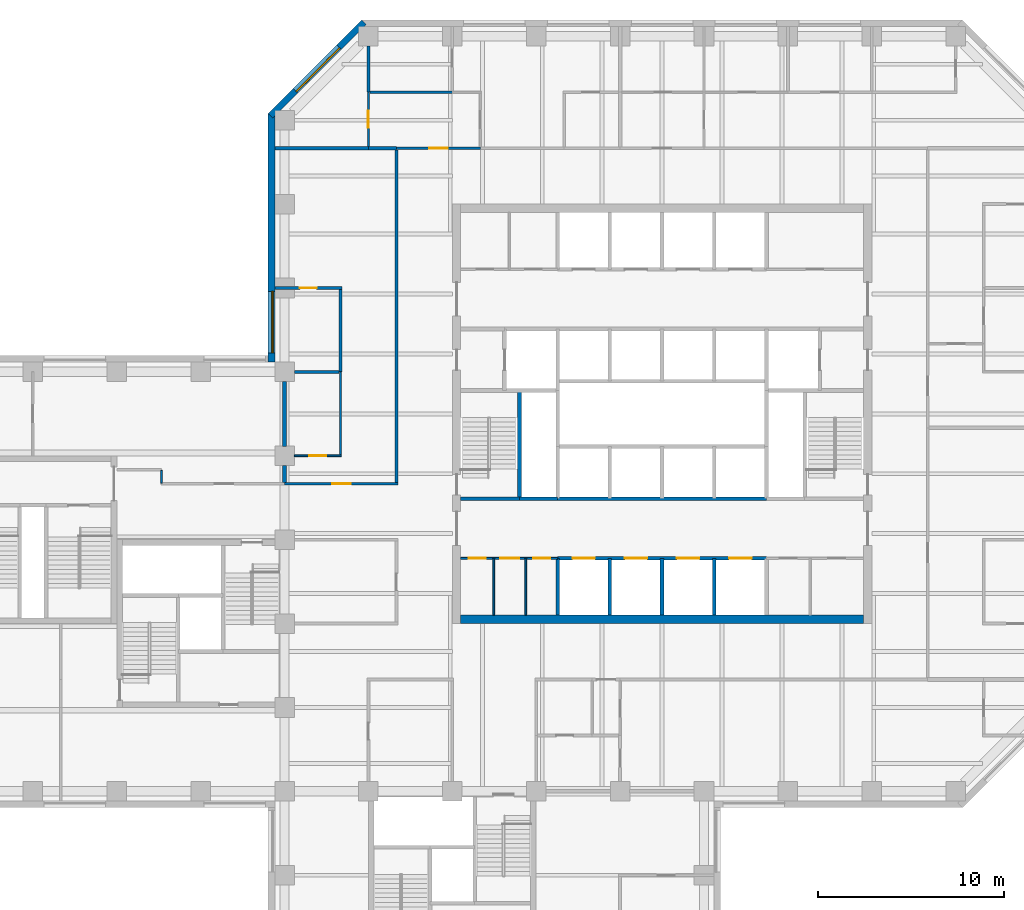
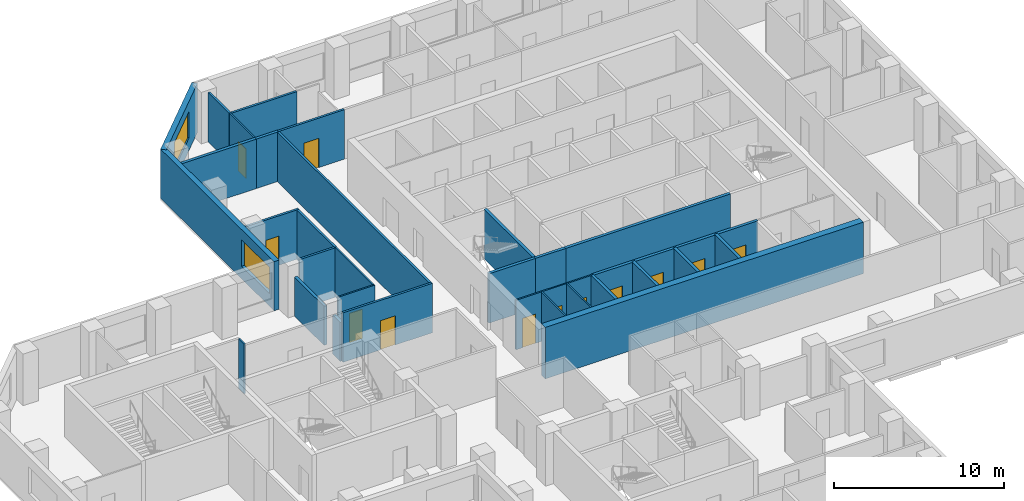
# One storey, part 6 of 11: 31 walls, 12 doors, 2 windows, 14 openings.
"""IFC4 building model written with IfcOpenShell, lengths in metres."""

from ifc_helpers import new_model, si_unit, direction, frame, frame_2d, origin, place, context, subcontext, project, spatial, rectangle, extrude, material, layer, layer_set, constituent, constituent_set, type_object, element, fill, save


model = new_model("IFC4")

# Units and contexts
model_context = context("Model", 3, precision=1e-05, world=origin(), true_north=direction((0.0, 1.0)))
body_context = subcontext(model_context, "Body", "Model", "MODEL_VIEW")
ifc_project = project(units=[si_unit("LENGTHUNIT", "METRE"), si_unit("AREAUNIT", "SQUARE_METRE"), si_unit("VOLUMEUNIT", "CUBIC_METRE"), si_unit("PLANEANGLEUNIT", "RADIAN"), si_unit("MASSUNIT", "GRAM", prefix="KILO")], contexts=[model_context])

# Site, building, storey
site_placement = place(None, origin())
site = spatial("IfcSite", under=ifc_project, at=site_placement, CompositionType="ELEMENT")
building_placement = place(site_placement, origin())
building = spatial("IfcBuilding", under=site, at=building_placement, Name="Quoin Convention Tower", CompositionType="ELEMENT")
storey_placement = place(building_placement, frame((0.0, 0.0, 119.60009765625)))
storey = spatial("IfcBuildingStorey", under=building, at=storey_placement, Name="L31", CompositionType="ELEMENT", Elevation=119.60009765625)

# Wall
ifc_material_1 = material(Name="Plasterboard")
ifc_layer_1 = layer(ifc_material_1, 0.012451171875, Name="Finish")
ifc_material_2 = material(Name="Steel stud framing", Category="steel")
ifc_layer_2 = layer(ifc_material_2, 0.125, Name="Structure")
ifc_layer_3 = layer(ifc_material_1, 0.012451171875, Name="Finish")
ifc_layer_set_1 = layer_set([ifc_layer_1, ifc_layer_2, ifc_layer_3], Name="Steel stud framing")
wall_type_1 = type_object("IfcWallType", Name="Acoustic partition 150", PredefinedType="PARTITIONING", material=ifc_layer_set_1)
wall_1_placement = place(storey_placement, frame((36.52490234375, 63.0, 0.0), z_axis=(0.0, 0.0, 1.0), x_axis=(1.0, 0.0, 0.0)))
element("IfcWall", 1, at=wall_1_placement, inside=storey, type_object=wall_type_1, Name="pw-L31-038", PredefinedType="PARTITIONING", context=body_context, shape_type="SweptSolid", body=[
    extrude(rectangle(XDim=2.400146484375, YDim=0.14990234375, at=frame_2d((1.2001953125, 0.0))), origin(), (0.0, 0.0, 1.0), 3.5498046875),
])

# Wall, opening, door
wall_2_placement = place(storey_placement, frame((35.47509765625, 67.5, 0.0), z_axis=(0.0, 0.0, 1.0), x_axis=(1.0, 0.0, 0.0)))
wall_2 = element("IfcWall", 2, at=wall_2_placement, inside=storey, type_object=wall_type_1, Name="pw-L31-041", PredefinedType="PARTITIONING", context=body_context, shape_type="SweptSolid", body=[
    extrude(rectangle(XDim=3.599853515625, YDim=0.14990234375, at=frame_2d((1.7998046875, 0.0))), origin(), (0.0, 0.0, 1.0), 3.5498046875),
])
opening_1_placement = place(wall_2_placement, frame((1.35009765625, 0.0, 0.0)))
opening_1 = element("IfcOpeningElement", 3, at=opening_1_placement, cuts=wall_2, Name="Opening DOL6-15", PredefinedType="OPENING", context=body_context, shape_type="SweptSolid", body=[
    extrude(rectangle(XDim=0.89990234375, YDim=2.10009765625, at=frame_2d((0.449951171875, 1.050048828125))), frame((0.0, 0.0849609375, 0.0), z_axis=(0.0, -1.0, 0.0), x_axis=(1.0, 0.0, 0.0)), (0.0, 0.0, 1.0), 0.169921875),
])
ifc_material_3 = material(Name="Steel door leaf", Category="steel")
door_type_1 = type_object("IfcDoorType", Name="Office door 900 x 2100", OperationType="SINGLE_SWING_RIGHT", PredefinedType="DOOR", material=ifc_material_3)
door_1_placement = place(opening_1_placement, origin())
door_1 = element("IfcDoor", 4, at=door_1_placement, inside=storey, type_object=door_type_1, Name="dr-L31-42", OperationType="SINGLE_SWING_RIGHT", OverallHeight=2.10009765625, OverallWidth=0.89990234375, PredefinedType="DOOR", context=body_context, shape_type="SweptSolid", body=[
    extrude(rectangle(XDim=0.89990234375, YDim=2.10009765625, at=frame_2d((0.449951171875, 1.050048828125))), frame((0.0, 0.02490234375, 0.0), z_axis=(0.0, -1.0, 0.0), x_axis=(1.0, 0.0, 0.0)), (0.0, 0.0, 1.0), 0.050048828125),
])
fill(opening_1, door_1)

# Walls
for number, where, z_axis, x_axis, name in (
    (5, (40.574951171875, 78.0, 0.0), (0.0, 0.0, 1.0), (1.0, 0.0, 0.0), "pw-L31-052"),
    (6, (39.0, 63.0, 0.0), (0.0, 0.0, 1.0), (0.0, 1.0, 0.0), "pw-L31-093"),
):
    element("IfcWall", number, at=place(storey_placement, frame(where, z_axis=z_axis, x_axis=x_axis)), inside=storey, type_object=wall_type_1, Name=name, PredefinedType="PARTITIONING", context=body_context, shape_type="SweptSolid", body=[
        extrude(rectangle(XDim=4.425048828125, YDim=0.14990234375, at=frame_2d((2.21240234375, 0.0))), origin(), (0.0, 0.0, 1.0), 3.5498046875),
    ])
wall_3_placement = place(storey_placement, frame((40.5, 78.0, 0.0), z_axis=(0.0, 0.0, 1.0), x_axis=(0.0, 1.0, 0.0)))
element("IfcWall", 7, at=wall_3_placement, inside=storey, type_object=wall_type_1, Name="pw-L31-103", PredefinedType="PARTITIONING", context=body_context, shape_type="SweptSolid", body=[
    extrude(rectangle(XDim=2.47509765625, YDim=0.14990234375, at=frame_2d((1.237548828125, 0.0))), origin(), (0.0, 0.0, 1.0), 3.5498046875),
])

# Wall, opening, window
ifc_material_4 = material(Name="Brick masonry", Category="masonry")
ifc_layer_4 = layer(ifc_material_4, 0.35009765625)
ifc_layer_set_2 = layer_set([ifc_layer_4], Name="Brick masonry")
wall_type_2 = type_object("IfcWallType", Name="Brick facade wall", PredefinedType="STANDARD", material=ifc_layer_set_2)
wall_4_placement = place(storey_placement, frame((40.26123046875, 81.751220703125, 0.0), z_axis=(0.0, 0.0, 1.0), x_axis=(-0.707106781187, -0.707106781187, 0.0)))
wall_4 = element("IfcWall", 8, at=wall_4_placement, inside=storey, type_object=wall_type_2, Name="fw-L31-40500_81000", PredefinedType="STANDARD", context=body_context, shape_type="SweptSolid", body=[
    extrude(rectangle(XDim=7.088623046875, YDim=0.35009765625, at=frame_2d((3.54443359375, 0.0))), origin(), (0.0, 0.0, 1.0), 3.52490234375),
])
opening_2_placement = place(wall_4_placement, frame((1.894287109375, 0.0, 0.89990234375)))
opening_2 = element("IfcOpeningElement", 9, at=opening_2_placement, cuts=wall_4, Name="Opening W-02", PredefinedType="OPENING", context=body_context, shape_type="SweptSolid", body=[
    extrude(rectangle(XDim=3.300048828125, YDim=1.89990234375, at=frame_2d((1.64990234375, 0.949951171875))), frame((0.0, 0.18505859375, 0.0), z_axis=(0.0, -1.0, 0.0), x_axis=(1.0, 0.0, 0.0)), (0.0, 0.0, 1.0), 0.3701171875),
])
ifc_material_5 = material(Name="Aluminium", Category="aluminium")
ifc_constituent_1 = constituent(ifc_material_5, Name="Frame")
ifc_material_6 = material(Name="Insulated glass", Category="glass")
ifc_constituent_2 = constituent(ifc_material_6, Name="Glazing")
ifc_constituent_set = constituent_set(constituents=[ifc_constituent_1, ifc_constituent_2], Name="Aluminium")
window_type = type_object("IfcWindowType", Name="Office window", PartitioningType="DOUBLE_PANEL_VERTICAL", PredefinedType="WINDOW", material=ifc_constituent_set)
window_1_placement = place(opening_2_placement, origin())
window_1 = element("IfcWindow", 10, at=window_1_placement, inside=storey, type_object=window_type, Name="win-L31-37755_79245", OverallHeight=1.89990234375, OverallWidth=3.300048828125, PartitioningType="SINGLE_PANEL", PredefinedType="WINDOW", context=body_context, shape_type="SweptSolid", body=[
    extrude(rectangle(XDim=3.300048828125, YDim=1.89990234375, at=frame_2d((1.64990234375, 0.949951171875))), frame((0.0, 0.0849609375, 0.0), z_axis=(0.0, -1.0, 0.0), x_axis=(1.0, 0.0, 0.0)), (0.0, 0.0, 1.0), 0.06005859375),
])
fill(opening_2, window_1)

wall_5_placement = place(storey_placement, frame((35.300048828125, 76.8623046875, 0.0), z_axis=(0.0, 0.0, 1.0), x_axis=(0.0, -1.0, 0.0)))
wall_5 = element("IfcWall", 11, at=wall_5_placement, inside=storey, type_object=wall_type_2, Name="fw-L31-36000_76500", PredefinedType="STANDARD", context=body_context, shape_type="SweptSolid", body=[
    extrude(rectangle(XDim=13.33740234375, YDim=0.35009765625, at=frame_2d((6.668701171875, 0.0))), origin(), (0.0, 0.0, 1.0), 3.52490234375),
])
opening_3_placement = place(wall_5_placement, frame((9.537353515625, 0.0, 0.89990234375)))
opening_3 = element("IfcOpeningElement", 12, at=opening_3_placement, cuts=wall_5, Name="Opening W-02", PredefinedType="OPENING", context=body_context, shape_type="SweptSolid", body=[
    extrude(rectangle(XDim=3.300048828125, YDim=1.89990234375, at=frame_2d((1.64990234375, 0.949951171875))), frame((0.0, 0.18505859375, 0.0), z_axis=(0.0, -1.0, 0.0), x_axis=(1.0, 0.0, 0.0)), (0.0, 0.0, 1.0), 0.3701171875),
])
window_2_placement = place(opening_3_placement, origin())
window_2 = element("IfcWindow", 13, at=window_2_placement, inside=storey, type_object=window_type, Name="win-L31-35300_65250", OverallHeight=1.89990234375, OverallWidth=3.300048828125, PartitioningType="SINGLE_PANEL", PredefinedType="WINDOW", context=body_context, shape_type="SweptSolid", body=[
    extrude(rectangle(XDim=3.300048828125, YDim=1.89990234375, at=frame_2d((1.64990234375, 0.949951171875))), frame((0.0, 0.0849609375, 0.0), z_axis=(0.0, -1.0, 0.0), x_axis=(1.0, 0.0, 0.0)), (0.0, 0.0, 1.0), 0.06005859375),
])
fill(opening_3, window_2)

# Wall, openings, doors
ifc_layer_5 = layer(ifc_material_1, 0.012451171875, Name="Finish")
ifc_layer_6 = layer(ifc_material_2, 0.074951171875, Name="Structure")
ifc_layer_7 = layer(ifc_material_1, 0.012451171875, Name="Finish")
ifc_layer_set_3 = layer_set([ifc_layer_5, ifc_layer_6, ifc_layer_7], Name="Steel stud framing")
wall_type_3 = type_object("IfcWallType", Name="Core partition wall", PredefinedType="PARTITIONING", material=ifc_layer_set_3)
wall_6_placement = place(storey_placement, frame((45.449951171875, 53.0, 0.0), z_axis=(0.0, 0.0, 1.0), x_axis=(1.0, 0.0, 0.0)))
wall_6 = element("IfcWall", 14, at=wall_6_placement, inside=storey, type_object=wall_type_3, Name="cr-C1-L31-h3500_450", PredefinedType="PARTITIONING", context=body_context, shape_type="SweptSolid", body=[
    extrude(rectangle(XDim=5.199951171875, YDim=0.10009765625, at=frame_2d((2.60009765625, 0.0))), origin(), (0.0, 0.0, 1.0), 3.5498046875),
])
opening_4_placement = place(wall_6_placement, frame((0.43408203125, 0.0, 0.0)))
opening_4 = element("IfcOpeningElement", 15, at=opening_4_placement, cuts=wall_6, Name="Opening DCV5-41", PredefinedType="OPENING", context=body_context, shape_type="SweptSolid", body=[
    extrude(rectangle(XDim=0.89990234375, YDim=2.10009765625, at=frame_2d((0.449951171875, 1.050048828125))), frame((0.0, 0.06005859375, 0.0), z_axis=(0.0, -1.0, 0.0), x_axis=(1.0, 0.0, 0.0)), (0.0, 0.0, 1.0), 0.1201171875),
])
opening_5_placement = place(wall_6_placement, frame((2.1259765625, 0.0, 0.0)))
opening_5 = element("IfcOpeningElement", 16, at=opening_5_placement, cuts=wall_6, Name="Opening DCV5-42", PredefinedType="OPENING", context=body_context, shape_type="SweptSolid", body=[
    extrude(rectangle(XDim=1.0, YDim=2.10009765625, at=frame_2d((0.5, 1.050048828125))), frame((0.0, 0.06005859375, 0.0), z_axis=(0.0, -1.0, 0.0), x_axis=(1.0, 0.0, 0.0)), (0.0, 0.0, 1.0), 0.1201171875),
])
opening_6_placement = place(wall_6_placement, frame((3.89208984375, 0.0, 0.0)))
opening_6 = element("IfcOpeningElement", 17, at=opening_6_placement, cuts=wall_6, Name="Opening DCV5-43", PredefinedType="OPENING", context=body_context, shape_type="SweptSolid", body=[
    extrude(rectangle(XDim=0.89990234375, YDim=2.10009765625, at=frame_2d((0.449951171875, 1.050048828125))), frame((0.0, 0.06005859375, 0.0), z_axis=(0.0, -1.0, 0.0), x_axis=(1.0, 0.0, 0.0)), (0.0, 0.0, 1.0), 0.1201171875),
])
door_type_2 = type_object("IfcDoorType", Name="Core room door 1000 x 2100", OperationType="SINGLE_SWING_LEFT", PredefinedType="DOOR", material=ifc_material_3)
door_2_placement = place(opening_5_placement, frame((1.0, 0.0, 0.0), z_axis=(0.0, 0.0, 1.0), x_axis=(-1.0, 0.0, 0.0)))
door_2 = element("IfcDoor", 18, at=door_2_placement, inside=storey, type_object=door_type_2, Name="cd-C1-L31-CSW1-lobA-CD3113", OperationType="SINGLE_SWING_LEFT", OverallHeight=2.10009765625, OverallWidth=1.0, PredefinedType="DOOR", context=body_context, shape_type="SweptSolid", body=[
    extrude(rectangle(XDim=1.0, YDim=2.10009765625, at=frame_2d((0.5, 1.050048828125))), frame((0.0, 0.02490234375, 0.0), z_axis=(0.0, -1.0, 0.0), x_axis=(1.0, 0.0, 0.0)), (0.0, 0.0, 1.0), 0.050048828125),
])
fill(opening_5, door_2)
door_type_3 = type_object("IfcDoorType", Name="Core room door 900 x 2100", OperationType="SINGLE_SWING_LEFT", PredefinedType="DOOR", material=ifc_material_3)
door_3_placement = place(opening_4_placement, frame((0.89990234375, 0.0, 0.0), z_axis=(0.0, 0.0, 1.0), x_axis=(-1.0, 0.0, 0.0)))
door_3 = element("IfcDoor", 19, at=door_3_placement, inside=storey, type_object=door_type_3, Name="cd-C1-L31-CSW0-lobA-CD3112", OperationType="SINGLE_SWING_LEFT", OverallHeight=2.10009765625, OverallWidth=0.89990234375, PredefinedType="DOOR", context=body_context, shape_type="SweptSolid", body=[
    extrude(rectangle(XDim=0.89990234375, YDim=2.10009765625, at=frame_2d((0.449951171875, 1.050048828125))), frame((0.0, 0.02490234375, 0.0), z_axis=(0.0, -1.0, 0.0), x_axis=(1.0, 0.0, 0.0)), (0.0, 0.0, 1.0), 0.050048828125),
])
fill(opening_4, door_3)
door_4_placement = place(opening_6_placement, frame((0.89990234375, 0.0, 0.0), z_axis=(0.0, 0.0, 1.0), x_axis=(-1.0, 0.0, 0.0)))
door_4 = element("IfcDoor", 20, at=door_4_placement, inside=storey, type_object=door_type_3, Name="cd-C1-L31-CSW2-lobA-CD3114", OperationType="SINGLE_SWING_LEFT", OverallHeight=2.10009765625, OverallWidth=0.89990234375, PredefinedType="DOOR", context=body_context, shape_type="SweptSolid", body=[
    extrude(rectangle(XDim=0.89990234375, YDim=2.10009765625, at=frame_2d((0.449951171875, 1.050048828125))), frame((0.0, 0.02490234375, 0.0), z_axis=(0.0, -1.0, 0.0), x_axis=(1.0, 0.0, 0.0)), (0.0, 0.0, 1.0), 0.050048828125),
])
fill(opening_6, door_4)

# Walls
for number, where, z_axis, x_axis, name in (
    (21, (47.218017578125, 49.949951171875, 0.0), (0.0, 0.0, 1.0), (0.0, 1.0, 0.0), "cr-C1-L31-v2218_450"),
    (22, (48.93408203125, 49.949951171875, 0.0), (0.0, 0.0, 1.0), (0.0, 1.0, 0.0), "cr-C1-L31-v3934_450"),
):
    element("IfcWall", number, at=place(storey_placement, frame(where, z_axis=z_axis, x_axis=x_axis)), inside=storey, type_object=wall_type_3, Name=name, PredefinedType="PARTITIONING", context=body_context, shape_type="SweptSolid", body=[
        extrude(rectangle(XDim=3.050048828125, YDim=0.10009765625, at=frame_2d((1.52490234375, 0.0))), origin(), (0.0, 0.0, 1.0), 3.5498046875),
    ])

# Wall, openings, doors
ifc_material_7 = material(Name="Concrete C50", Category="concrete")
ifc_layer_8 = layer(ifc_material_7, 0.199951171875)
ifc_layer_set_4 = layer_set([ifc_layer_8], Name="Concrete C50")
wall_type_4 = type_object("IfcWallType", Name="Core shaft wall", PredefinedType="SOLIDWALL", material=ifc_layer_set_4)
wall_7_placement = place(storey_placement, frame((50.64990234375, 53.0, 0.0), z_axis=(0.0, 0.0, 1.0), x_axis=(1.0, 0.0, 0.0)))
wall_7 = element("IfcWall", 23, at=wall_7_placement, inside=storey, type_object=wall_type_4, Name="cr-C1-L31-h3500_5650", PredefinedType="SOLIDWALL", context=body_context, shape_type="SweptSolid", body=[
    extrude(rectangle(XDim=11.2001953125, YDim=0.199951171875, at=frame_2d((5.60009765625, 0.0))), origin(), (0.0, 0.0, 1.0), 3.5498046875),
])
opening_7_placement = place(wall_7_placement, frame((0.800048828125, 0.0, 0.0)))
opening_7 = element("IfcOpeningElement", 24, at=opening_7_placement, cuts=wall_7, Name="Opening LDL1", PredefinedType="OPENING", context=body_context, shape_type="SweptSolid", body=[
    extrude(rectangle(XDim=1.199951171875, YDim=2.10009765625, at=frame_2d((0.60009765625, 1.050048828125))), frame((0.0, 0.10986328125, 0.0), z_axis=(0.0, -1.0, 0.0), x_axis=(1.0, 0.0, 0.0)), (0.0, 0.0, 1.0), 0.219970703125),
])
opening_8_placement = place(wall_7_placement, frame((3.60009765625, 0.0, 0.0)))
opening_8 = element("IfcOpeningElement", 25, at=opening_8_placement, cuts=wall_7, Name="Opening LDL2", PredefinedType="OPENING", context=body_context, shape_type="SweptSolid", body=[
    extrude(rectangle(XDim=1.199951171875, YDim=2.10009765625, at=frame_2d((0.60009765625, 1.050048828125))), frame((0.0, 0.10986328125, 0.0), z_axis=(0.0, -1.0, 0.0), x_axis=(1.0, 0.0, 0.0)), (0.0, 0.0, 1.0), 0.219970703125),
])
opening_9_placement = place(wall_7_placement, frame((6.39990234375, 0.0, 0.0)))
opening_9 = element("IfcOpeningElement", 26, at=opening_9_placement, cuts=wall_7, Name="Opening LDL3", PredefinedType="OPENING", context=body_context, shape_type="SweptSolid", body=[
    extrude(rectangle(XDim=1.199951171875, YDim=2.10009765625, at=frame_2d((0.60009765625, 1.050048828125))), frame((0.0, 0.10986328125, 0.0), z_axis=(0.0, -1.0, 0.0), x_axis=(1.0, 0.0, 0.0)), (0.0, 0.0, 1.0), 0.219970703125),
])
opening_10_placement = place(wall_7_placement, frame((9.199951171875, 0.0, 0.0)))
opening_10 = element("IfcOpeningElement", 27, at=opening_10_placement, cuts=wall_7, Name="Opening LDL4", PredefinedType="OPENING", context=body_context, shape_type="SweptSolid", body=[
    extrude(rectangle(XDim=1.199951171875, YDim=2.10009765625, at=frame_2d((0.60009765625, 1.050048828125))), frame((0.0, 0.10986328125, 0.0), z_axis=(0.0, -1.0, 0.0), x_axis=(1.0, 0.0, 0.0)), (0.0, 0.0, 1.0), 0.219970703125),
])
door_type_4 = type_object("IfcDoorType", Name="Lift landing door 1200 x 2100", OperationType="DOUBLE_DOOR_SLIDING", PredefinedType="DOOR", material=ifc_material_3)
door_5_placement = place(opening_7_placement, origin())
door_5 = element("IfcDoor", 28, at=door_5_placement, inside=storey, type_object=door_type_4, Name="cd-C1-L31-R10-lobA-LDL1", OperationType="DOUBLE_DOOR_SLIDING", OverallHeight=2.10009765625, OverallWidth=1.199951171875, PredefinedType="DOOR", context=body_context, shape_type="SweptSolid", body=[
    extrude(rectangle(XDim=1.199951171875, YDim=2.10009765625, at=frame_2d((0.60009765625, 1.050048828125))), frame((0.0, 0.02490234375, 0.0), z_axis=(0.0, -1.0, 0.0), x_axis=(1.0, 0.0, 0.0)), (0.0, 0.0, 1.0), 0.050048828125),
])
fill(opening_7, door_5)
door_6_placement = place(opening_8_placement, origin())
door_6 = element("IfcDoor", 29, at=door_6_placement, inside=storey, type_object=door_type_4, Name="cd-C1-L31-R11-lobA-LDL2", OperationType="DOUBLE_DOOR_SLIDING", OverallHeight=2.10009765625, OverallWidth=1.199951171875, PredefinedType="DOOR", context=body_context, shape_type="SweptSolid", body=[
    extrude(rectangle(XDim=1.199951171875, YDim=2.10009765625, at=frame_2d((0.60009765625, 1.050048828125))), frame((0.0, 0.02490234375, 0.0), z_axis=(0.0, -1.0, 0.0), x_axis=(1.0, 0.0, 0.0)), (0.0, 0.0, 1.0), 0.050048828125),
])
fill(opening_8, door_6)
door_7_placement = place(opening_9_placement, origin())
door_7 = element("IfcDoor", 30, at=door_7_placement, inside=storey, type_object=door_type_4, Name="cd-C1-L31-R12-lobA-LDL3", OperationType="DOUBLE_DOOR_SLIDING", OverallHeight=2.10009765625, OverallWidth=1.199951171875, PredefinedType="DOOR", context=body_context, shape_type="SweptSolid", body=[
    extrude(rectangle(XDim=1.199951171875, YDim=2.10009765625, at=frame_2d((0.60009765625, 1.050048828125))), frame((0.0, 0.02490234375, 0.0), z_axis=(0.0, -1.0, 0.0), x_axis=(1.0, 0.0, 0.0)), (0.0, 0.0, 1.0), 0.050048828125),
])
fill(opening_9, door_7)
door_8_placement = place(opening_10_placement, origin())
door_8 = element("IfcDoor", 31, at=door_8_placement, inside=storey, type_object=door_type_4, Name="cd-C1-L31-R13-lobA-LDL4", OperationType="DOUBLE_DOOR_SLIDING", OverallHeight=2.10009765625, OverallWidth=1.199951171875, PredefinedType="DOOR", context=body_context, shape_type="SweptSolid", body=[
    extrude(rectangle(XDim=1.199951171875, YDim=2.10009765625, at=frame_2d((0.60009765625, 1.050048828125))), frame((0.0, 0.02490234375, 0.0), z_axis=(0.0, -1.0, 0.0), x_axis=(1.0, 0.0, 0.0)), (0.0, 0.0, 1.0), 0.050048828125),
])
fill(opening_10, door_8)

# Walls
wall_8_placement = place(storey_placement, frame((48.60009765625, 56.199951171875, 0.0), z_axis=(0.0, 0.0, 1.0), x_axis=(1.0, 0.0, 0.0)))
element("IfcWall", 32, at=wall_8_placement, inside=storey, type_object=wall_type_4, Name="cr-C1-L31-h6700_3600", PredefinedType="SOLIDWALL", context=body_context, shape_type="SweptSolid", body=[
    extrude(rectangle(XDim=2.0498046875, YDim=0.199951171875, at=frame_2d((1.02490234375, 0.0))), origin(), (0.0, 0.0, 1.0), 3.5498046875),
])
wall_9_placement = place(storey_placement, frame((45.449951171875, 56.199951171875, 0.0), z_axis=(0.0, 0.0, 1.0), x_axis=(1.0, 0.0, 0.0)))
element("IfcWall", 33, at=wall_9_placement, inside=storey, type_object=wall_type_4, Name="cr-C1-L31-h6700_450", PredefinedType="SOLIDWALL", context=body_context, shape_type="SweptSolid", body=[
    extrude(rectangle(XDim=3.150146484375, YDim=0.199951171875, at=frame_2d((1.5751953125, 0.0))), origin(), (0.0, 0.0, 1.0), 3.5498046875),
])
wall_10_placement = place(storey_placement, frame((50.64990234375, 56.199951171875, 0.0), z_axis=(0.0, 0.0, 1.0), x_axis=(1.0, 0.0, 0.0)))
element("IfcWall", 34, at=wall_10_placement, inside=storey, type_object=wall_type_4, Name="cr-C1-L31-h6700_5650", PredefinedType="SOLIDWALL", context=body_context, shape_type="SweptSolid", body=[
    extrude(rectangle(XDim=11.2001953125, YDim=0.199951171875, at=frame_2d((5.60009765625, 0.0))), origin(), (0.0, 0.0, 1.0), 3.5498046875),
])
wall_11_placement = place(storey_placement, frame((48.60009765625, 56.199951171875, 0.0), z_axis=(0.0, 0.0, 1.0), x_axis=(0.0, 1.0, 0.0)))
element("IfcWall", 35, at=wall_11_placement, inside=storey, type_object=wall_type_4, Name="cr-C1-L31-v3600_6700", PredefinedType="SOLIDWALL", context=body_context, shape_type="SweptSolid", body=[
    extrude(rectangle(XDim=5.800048828125, YDim=0.199951171875, at=frame_2d((2.89990234375, 0.0))), origin(), (0.0, 0.0, 1.0), 3.5498046875),
])
for number, where, z_axis, x_axis, name in (
    (36, (50.64990234375, 49.949951171875, 0.0), (0.0, 0.0, 1.0), (0.0, 1.0, 0.0), "cr-C1-L31-v5650_450"),
    (37, (53.449951171875, 49.949951171875, 0.0), (0.0, 0.0, 1.0), (0.0, 1.0, 0.0), "cr-C1-L31-v8450_450"),
    (38, (56.25, 49.949951171875, 0.0), (0.0, 0.0, 1.0), (0.0, 1.0, 0.0), "cr-C1-L31-v11250_450"),
    (39, (59.050048828125, 49.949951171875, 0.0), (0.0, 0.0, 1.0), (0.0, 1.0, 0.0), "cr-C1-L31-v14050_450"),
):
    element("IfcWall", number, at=place(storey_placement, frame(where, z_axis=z_axis, x_axis=x_axis)), inside=storey, type_object=wall_type_4, Name=name, PredefinedType="SOLIDWALL", context=body_context, shape_type="SweptSolid", body=[
        extrude(rectangle(XDim=3.050048828125, YDim=0.199951171875, at=frame_2d((1.52490234375, 0.0))), origin(), (0.0, 0.0, 1.0), 3.5498046875),
    ])

# Wall, opening, door
ifc_layer_9 = layer(ifc_material_1, 0.012451171875, Name="Finish")
ifc_layer_10 = layer(ifc_material_2, 0.125, Name="Structure")
ifc_layer_11 = layer(ifc_material_1, 0.012451171875, Name="Finish")
ifc_layer_set_5 = layer_set([ifc_layer_9, ifc_layer_10, ifc_layer_11], Name="Steel stud framing")
wall_type_5 = type_object("IfcWallType", Name="Corridor wall 150", PredefinedType="PARTITIONING", material=ifc_layer_set_5)
wall_12_placement = place(storey_placement, frame((36.0, 57.0, 0.0), z_axis=(0.0, 0.0, 1.0), x_axis=(1.0, 0.0, 0.0)))
wall_12 = element("IfcWall", 40, at=wall_12_placement, inside=storey, type_object=wall_type_5, Name="pw-L31-034", PredefinedType="PARTITIONING", context=body_context, shape_type="SweptSolid", body=[
    extrude(rectangle(XDim=6.074951171875, YDim=0.14990234375, at=frame_2d((3.03759765625, 0.0))), origin(), (0.0, 0.0, 1.0), 3.5498046875),
])
opening_11_placement = place(wall_12_placement, frame((2.550048828125, 0.0, 0.0)))
opening_11 = element("IfcOpeningElement", 41, at=opening_11_placement, cuts=wall_12, Name="Opening DOL6-12", PredefinedType="OPENING", context=body_context, shape_type="SweptSolid", body=[
    extrude(rectangle(XDim=1.0, YDim=2.10009765625, at=frame_2d((0.5, 1.050048828125))), frame((0.0, 0.0849609375, 0.0), z_axis=(0.0, -1.0, 0.0), x_axis=(1.0, 0.0, 0.0)), (0.0, 0.0, 1.0), 0.169921875),
])
door_type_5 = type_object("IfcDoorType", Name="Tenancy entrance door 1000 x 2100", OperationType="DOUBLE_DOOR_SINGLE_SWING", PredefinedType="DOOR", material=ifc_material_3)
door_9_placement = place(opening_11_placement, origin())
door_9 = element("IfcDoor", 42, at=door_9_placement, inside=storey, type_object=door_type_5, Name="dr-L31-40", OperationType="DOUBLE_DOOR_SINGLE_SWING", OverallHeight=2.10009765625, OverallWidth=1.0, PredefinedType="DOOR", context=body_context, shape_type="SweptSolid", body=[
    extrude(rectangle(XDim=1.0, YDim=2.10009765625, at=frame_2d((0.5, 1.050048828125))), frame((0.0, 0.02490234375, 0.0), z_axis=(0.0, -1.0, 0.0), x_axis=(1.0, 0.0, 0.0)), (0.0, 0.0, 1.0), 0.050048828125),
])
fill(opening_11, door_9)

wall_13_placement = place(storey_placement, frame((42.0, 75.0, 0.0), z_axis=(0.0, 0.0, 1.0), x_axis=(1.0, 0.0, 0.0)))
wall_13 = element("IfcWall", 43, at=wall_13_placement, inside=storey, type_object=wall_type_5, Name="pw-L31-046", PredefinedType="PARTITIONING", context=body_context, shape_type="SweptSolid", body=[
    extrude(rectangle(XDim=4.5, YDim=0.14990234375, at=frame_2d((2.25, 0.0))), origin(), (0.0, 0.0, 1.0), 3.5498046875),
])
opening_12_placement = place(wall_13_placement, frame((1.75, 0.0, 0.0)))
opening_12 = element("IfcOpeningElement", 44, at=opening_12_placement, cuts=wall_13, Name="Opening DOL6-17", PredefinedType="OPENING", context=body_context, shape_type="SweptSolid", body=[
    extrude(rectangle(XDim=1.0, YDim=2.10009765625, at=frame_2d((0.5, 1.050048828125))), frame((0.0, 0.0849609375, 0.0), z_axis=(0.0, -1.0, 0.0), x_axis=(1.0, 0.0, 0.0)), (0.0, 0.0, 1.0), 0.169921875),
])
door_10_placement = place(opening_12_placement, origin())
door_10 = element("IfcDoor", 45, at=door_10_placement, inside=storey, type_object=door_type_5, Name="dr-L31-29", OperationType="DOUBLE_DOOR_SINGLE_SWING", OverallHeight=2.10009765625, OverallWidth=1.0, PredefinedType="DOOR", context=body_context, shape_type="SweptSolid", body=[
    extrude(rectangle(XDim=1.0, YDim=2.10009765625, at=frame_2d((0.5, 1.050048828125))), frame((0.0, 0.02490234375, 0.0), z_axis=(0.0, -1.0, 0.0), x_axis=(1.0, 0.0, 0.0)), (0.0, 0.0, 1.0), 0.050048828125),
])
fill(opening_12, door_10)

# Walls
wall_14_placement = place(storey_placement, frame((42.0, 57.074951171875, 0.0), z_axis=(0.0, 0.0, 1.0), x_axis=(0.0, 1.0, 0.0)))
element("IfcWall", 46, at=wall_14_placement, inside=storey, type_object=wall_type_5, Name="pw-L31-087", PredefinedType="PARTITIONING", context=body_context, shape_type="SweptSolid", body=[
    extrude(rectangle(XDim=17.824951171875, YDim=0.14990234375, at=frame_2d((8.91259765625, 0.0))), origin(), (0.0, 0.0, 1.0), 3.5498046875),
])
ifc_material_8 = material(Name="Concrete C65", Category="concrete")
ifc_layer_12 = layer(ifc_material_8, 0.449951171875)
ifc_layer_set_6 = layer_set([ifc_layer_12], Name="Concrete C65")
wall_type_6 = type_object("IfcWallType", Name="RC CORE WALL 450 C65", PredefinedType="SHEAR", material=ifc_layer_set_6)
wall_15_placement = place(storey_placement, frame((45.449951171875, 49.72509765625, 0.0), z_axis=(0.0, 0.0, 1.0), x_axis=(1.0, 0.0, 0.0)))
element("IfcWall", 47, at=wall_15_placement, inside=storey, type_object=wall_type_6, Name="cwl-C1-L31-S", PredefinedType="SHEAR", context=body_context, shape_type="SweptSolid", body=[
    extrude(rectangle(XDim=21.60009765625, YDim=0.449951171875, at=frame_2d((10.800048828125, 0.0))), origin(), (0.0, 0.0, 1.0), 3.699951171875),
])

# Wall, opening, door
ifc_layer_13 = layer(ifc_material_1, 0.012451171875, Name="Finish")
ifc_layer_14 = layer(ifc_material_2, 0.074951171875, Name="Structure")
ifc_layer_15 = layer(ifc_material_1, 0.012451171875, Name="Finish")
ifc_layer_set_7 = layer_set([ifc_layer_13, ifc_layer_14, ifc_layer_15], Name="Steel stud framing")
wall_type_7 = type_object("IfcWallType", Name="Stud partition 100", PredefinedType="PARTITIONING", material=ifc_layer_set_7)
wall_16_placement = place(storey_placement, frame((36.52490234375, 58.5, 0.0), z_axis=(0.0, 0.0, 1.0), x_axis=(1.0, 0.0, 0.0)))
wall_16 = element("IfcWall", 48, at=wall_16_placement, inside=storey, type_object=wall_type_7, Name="pw-L31-035", PredefinedType="PARTITIONING", context=body_context, shape_type="SweptSolid", body=[
    extrude(rectangle(XDim=2.525146484375, YDim=0.10009765625, at=frame_2d((1.2626953125, 0.0))), origin(), (0.0, 0.0, 1.0), 3.5498046875),
])
opening_13_placement = place(wall_16_placement, frame((0.800048828125, 0.0, 0.0)))
opening_13 = element("IfcOpeningElement", 49, at=opening_13_placement, cuts=wall_16, Name="Opening DOL6-13", PredefinedType="OPENING", context=body_context, shape_type="SweptSolid", body=[
    extrude(rectangle(XDim=0.89990234375, YDim=2.10009765625, at=frame_2d((0.449951171875, 1.050048828125))), frame((0.0, 0.06005859375, 0.0), z_axis=(0.0, -1.0, 0.0), x_axis=(1.0, 0.0, 0.0)), (0.0, 0.0, 1.0), 0.1201171875),
])
door_11_placement = place(opening_13_placement, frame((0.89990234375, 0.0, 0.0), z_axis=(0.0, 0.0, 1.0), x_axis=(-1.0, 0.0, 0.0)))
door_11 = element("IfcDoor", 50, at=door_11_placement, inside=storey, type_object=door_type_1, Name="dr-L31-41", OperationType="SINGLE_SWING_LEFT", OverallHeight=2.10009765625, OverallWidth=0.89990234375, PredefinedType="DOOR", context=body_context, shape_type="SweptSolid", body=[
    extrude(rectangle(XDim=0.89990234375, YDim=2.10009765625, at=frame_2d((0.449951171875, 1.050048828125))), frame((0.0, 0.02490234375, 0.0), z_axis=(0.0, -1.0, 0.0), x_axis=(1.0, 0.0, 0.0)), (0.0, 0.0, 1.0), 0.050048828125),
])
fill(opening_13, door_11)

# Wall
wall_17_placement = place(storey_placement, frame((39.0, 58.550048828125, 0.0), z_axis=(0.0, 0.0, 1.0), x_axis=(0.0, 1.0, 0.0)))
element("IfcWall", 51, at=wall_17_placement, inside=storey, type_object=wall_type_7, Name="pw-L31-088", PredefinedType="PARTITIONING", context=body_context, shape_type="SweptSolid", body=[
    extrude(rectangle(XDim=4.449951171875, YDim=0.10009765625, at=frame_2d((2.22509765625, 0.0))), origin(), (0.0, 0.0, 1.0), 3.5498046875),
])

# Wall, opening, door
wall_18_placement = place(storey_placement, frame((40.5, 75.10009765625, 0.0), z_axis=(0.0, 0.0, 1.0), x_axis=(0.0, 1.0, 0.0)))
wall_18 = element("IfcWall", 52, at=wall_18_placement, inside=storey, type_object=wall_type_7, Name="pw-L31-102", PredefinedType="PARTITIONING", context=body_context, shape_type="SweptSolid", body=[
    extrude(rectangle(XDim=2.89990234375, YDim=0.10009765625, at=frame_2d((1.449951171875, 0.0))), origin(), (0.0, 0.0, 1.0), 3.5498046875),
])
opening_14_placement = place(wall_18_placement, frame((1.0, 0.0, 0.0)))
opening_14 = element("IfcOpeningElement", 53, at=opening_14_placement, cuts=wall_18, Name="Opening DOL6-35", PredefinedType="OPENING", context=body_context, shape_type="SweptSolid", body=[
    extrude(rectangle(XDim=0.89990234375, YDim=2.10009765625, at=frame_2d((0.449951171875, 1.050048828125))), frame((0.0, 0.06005859375, 0.0), z_axis=(0.0, -1.0, 0.0), x_axis=(1.0, 0.0, 0.0)), (0.0, 0.0, 1.0), 0.1201171875),
])
door_12_placement = place(opening_14_placement, origin())
door_12 = element("IfcDoor", 54, at=door_12_placement, inside=storey, type_object=door_type_1, Name="dr-L31-31", OperationType="SINGLE_SWING_RIGHT", OverallHeight=2.10009765625, OverallWidth=0.89990234375, PredefinedType="DOOR", context=body_context, shape_type="SweptSolid", body=[
    extrude(rectangle(XDim=0.89990234375, YDim=2.10009765625, at=frame_2d((0.449951171875, 1.050048828125))), frame((0.0, 0.02490234375, 0.0), z_axis=(0.0, -1.0, 0.0), x_axis=(1.0, 0.0, 0.0)), (0.0, 0.0, 1.0), 0.050048828125),
])
fill(opening_14, door_12)

# Walls
wall_19_placement = place(storey_placement, frame((29.39990234375, 57.715087890625, 0.0), z_axis=(0.0, 0.0, 1.0), x_axis=(0.0, -1.0, 0.0)))
element("IfcWall", 55, at=wall_19_placement, inside=storey, type_object=wall_type_7, Name="pw-L31-w04", PredefinedType="PARTITIONING", context=body_context, shape_type="SweptSolid", body=[
    extrude(rectangle(XDim=0.68017578125, YDim=0.10009765625, at=frame_2d((0.340087890625, 0.0))), origin(), (0.0, 0.0, 1.0), 3.5498046875),
])
ifc_layer_16 = layer(ifc_material_1, 0.012451171875, Name="Finish")
ifc_layer_17 = layer(ifc_material_2, 0.175048828125, Name="Structure")
ifc_layer_18 = layer(ifc_material_1, 0.012451171875, Name="Finish")
ifc_layer_set_8 = layer_set([ifc_layer_16, ifc_layer_17, ifc_layer_18], Name="Steel stud framing")
wall_type_8 = type_object("IfcWallType", Name="Tenancy demising wall 200", PredefinedType="PARTITIONING", material=ifc_layer_set_8)
wall_20_placement = place(storey_placement, frame((35.47509765625, 75.0, 0.0), z_axis=(0.0, 0.0, 1.0), x_axis=(1.0, 0.0, 0.0)))
element("IfcWall", 56, at=wall_20_placement, inside=storey, type_object=wall_type_8, Name="pw-L31-044", PredefinedType="PARTITIONING", context=body_context, shape_type="SweptSolid", body=[
    extrude(rectangle(XDim=5.02490234375, YDim=0.199951171875, at=frame_2d((2.512451171875, 0.0))), origin(), (0.0, 0.0, 1.0), 3.5498046875),
])
wall_21_placement = place(storey_placement, frame((40.5, 75.0, 0.0), z_axis=(0.0, 0.0, 1.0), x_axis=(1.0, 0.0, 0.0)))
element("IfcWall", 57, at=wall_21_placement, inside=storey, type_object=wall_type_8, Name="pw-L31-045", PredefinedType="PARTITIONING", context=body_context, shape_type="SweptSolid", body=[
    extrude(rectangle(XDim=1.5, YDim=0.199951171875, at=frame_2d((0.75, 0.0))), origin(), (0.0, 0.0, 1.0), 3.5498046875),
])
ifc_layer_19 = layer(ifc_material_1, 0.012451171875, Name="Finish")
ifc_layer_20 = layer(ifc_material_2, 0.175048828125, Name="Structure")
ifc_layer_21 = layer(ifc_material_1, 0.012451171875, Name="Finish")
ifc_layer_set_9 = layer_set([ifc_layer_19, ifc_layer_20, ifc_layer_21], Name="Steel stud framing")
wall_type_9 = type_object("IfcWallType", Name="Tenancy demising wall 200 under beam 750", PredefinedType="PARTITIONING", material=ifc_layer_set_9)
wall_22_placement = place(storey_placement, frame((36.0, 57.074951171875, 0.0), z_axis=(0.0, 0.0, 1.0), x_axis=(0.0, 1.0, 0.0)))
element("IfcWall", 58, at=wall_22_placement, inside=storey, type_object=wall_type_9, Name="pw-L31-086", PredefinedType="PARTITIONING", context=body_context, shape_type="SweptSolid", body=[
    extrude(rectangle(XDim=0.900146484375, YDim=0.199951171875, at=frame_2d((0.4501953125, 0.0))), origin(), (0.0, 0.0, 1.0), 2.7998046875),
])
wall_23_placement = place(storey_placement, frame((36.0, 58.9951171875, 0.0), z_axis=(0.0, 0.0, 1.0), x_axis=(0.0, 1.0, 0.0)))
element("IfcWall", 59, at=wall_23_placement, inside=storey, type_object=wall_type_9, Name="pw-L31-089", PredefinedType="PARTITIONING", context=body_context, shape_type="SweptSolid", body=[
    extrude(rectangle(XDim=3.47998046875, YDim=0.199951171875, at=frame_2d((1.739990234375, 0.0))), origin(), (0.0, 0.0, 1.0), 2.7998046875),
])

save(model, "model.ifc")
